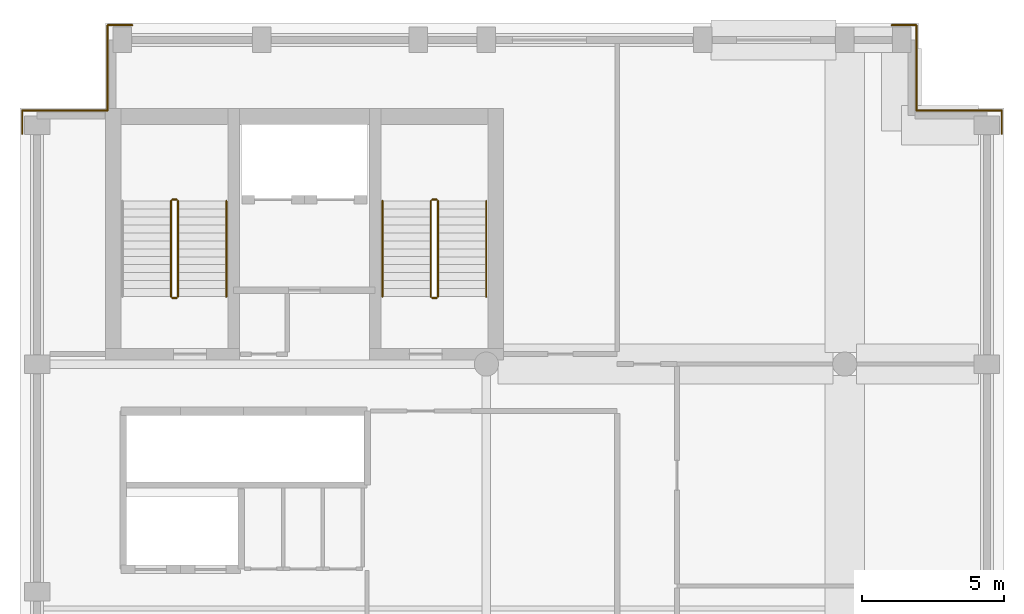
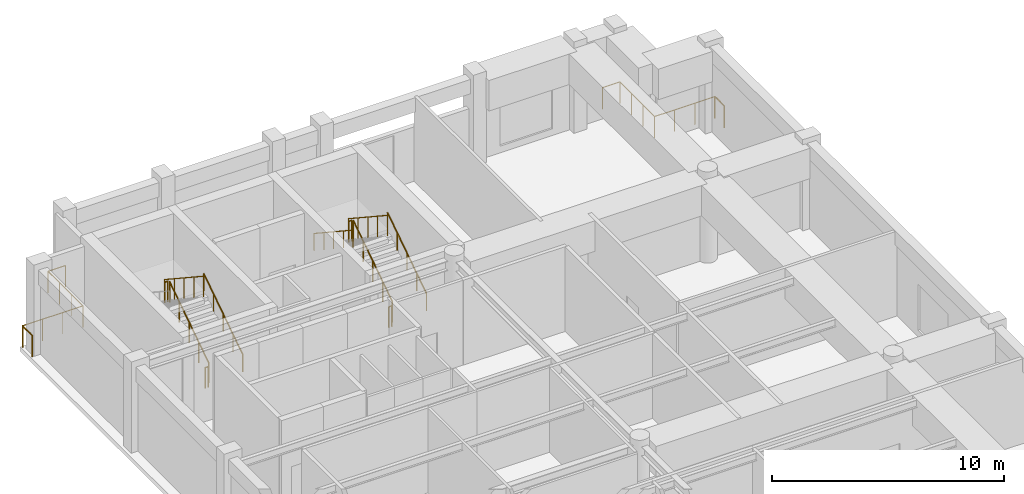
# One storey, part 6 of 6: 19 railings.
"""IFC4 building model written with IfcOpenShell, lengths in metres."""

from ifc_helpers import new_model, si_unit, direction, frame, origin, origin_2d, place, context, subcontext, project, spatial, circle, extrude, material, type_object, element, save


model = new_model("IFC4")

# Units and contexts
model_context = context("Model", 3, precision=1e-05, world=origin(), true_north=direction((0.0, 1.0)))
body_context = subcontext(model_context, "Body", "Model", "MODEL_VIEW")
ifc_project = project(units=[si_unit("LENGTHUNIT", "METRE"), si_unit("AREAUNIT", "SQUARE_METRE"), si_unit("VOLUMEUNIT", "CUBIC_METRE"), si_unit("PLANEANGLEUNIT", "RADIAN"), si_unit("MASSUNIT", "GRAM", prefix="KILO")], contexts=[model_context])

# Site, building, storey
site_placement = place(None, origin())
site = spatial("IfcSite", under=ifc_project, at=site_placement, CompositionType="ELEMENT")
building_placement = place(site_placement, origin())
building = spatial("IfcBuilding", under=site, at=building_placement, Name="Sulina Concourse Tower", CompositionType="ELEMENT")
storey_placement = place(building_placement, frame((0.0, 0.0, 313.0)))
storey = spatial("IfcBuildingStorey", under=building, at=storey_placement, Name="L76", CompositionType="ELEMENT", Elevation=313.0)

# Railings
ifc_material_1 = material(Name="Galvanised steel railing", Category="steel")
railing_type_1 = type_object("IfcRailingType", Name="Core Stair Steel Guardrail 1150mm", PredefinedType="GUARDRAIL", material=ifc_material_1)
railing_1_placement = place(storey_placement, frame((0.080078125, 42.10009765625, 0.0)))
element("IfcRailing", 1, at=railing_1_placement, inside=storey, type_object=railing_type_1, Name="L76 perimeter edge safety guardrail NW1", PredefinedType="GUARDRAIL", context=body_context, shape_type="SweptSolid", body=[
    extrude(circle(Radius=0.02392578125, at=origin_2d()), frame((0.0, 0.0, 1.1259765625), z_axis=(0.0, 1.0, 0.0), x_axis=(-1.0, 0.0, 0.0)), (0.0, 0.0, 1.0), 0.81982421875),
    extrude(circle(Radius=0.02099609375, at=origin_2d()), origin(), (0.0, 0.0, 1.0), 1.101806640625),
    extrude(circle(Radius=0.02099609375, at=origin_2d()), frame((0.0, 0.81982421875, 0.0)), (0.0, 0.0, 1.0), 1.101806640625),
])
railing_2_placement = place(storey_placement, frame((0.080078125, 42.919921875, 0.0)))
element("IfcRailing", 2, at=railing_2_placement, inside=storey, type_object=railing_type_1, Name="L76 perimeter edge safety guardrail NW2", PredefinedType="GUARDRAIL", context=body_context, shape_type="SweptSolid", body=[
    extrude(circle(Radius=0.02392578125, at=origin_2d()), frame((0.0, 0.0, 1.1259765625), z_axis=(1.0, 0.0, 0.0), x_axis=(0.0, 1.0, 0.0)), (0.0, 0.0, 1.0), 3.0),
    extrude(circle(Radius=0.02099609375, at=origin_2d()), origin(), (0.0, 0.0, 1.0), 1.101806640625),
    extrude(circle(Radius=0.02099609375, at=origin_2d()), frame((1.0, 0.0, 0.0)), (0.0, 0.0, 1.0), 1.101806640625),
    extrude(circle(Radius=0.02099609375, at=origin_2d()), frame((2.0, 0.0, 0.0)), (0.0, 0.0, 1.0), 1.101806640625),
    extrude(circle(Radius=0.02099609375, at=origin_2d()), frame((3.0, 0.0, 0.0)), (0.0, 0.0, 1.0), 1.101806640625),
])
railing_3_placement = place(storey_placement, frame((3.080078125, 42.919921875, 0.0)))
element("IfcRailing", 3, at=railing_3_placement, inside=storey, type_object=railing_type_1, Name="L76 perimeter edge safety guardrail NW3", PredefinedType="GUARDRAIL", context=body_context, shape_type="SweptSolid", body=[
    extrude(circle(Radius=0.02392578125, at=origin_2d()), frame((0.0, 0.0, 1.1259765625), z_axis=(0.0, 1.0, 0.0), x_axis=(-1.0, 0.0, 0.0)), (0.0, 0.0, 1.0), 3.0),
    extrude(circle(Radius=0.02099609375, at=origin_2d()), origin(), (0.0, 0.0, 1.0), 1.101806640625),
    extrude(circle(Radius=0.02099609375, at=origin_2d()), frame((0.0, 1.0, 0.0)), (0.0, 0.0, 1.0), 1.101806640625),
    extrude(circle(Radius=0.02099609375, at=origin_2d()), frame((0.0, 2.0, 0.0)), (0.0, 0.0, 1.0), 1.101806640625),
    extrude(circle(Radius=0.02099609375, at=origin_2d()), frame((0.0, 3.0, 0.0)), (0.0, 0.0, 1.0), 1.101806640625),
])
railing_4_placement = place(storey_placement, frame((3.080078125, 45.919921875, 0.0)))
element("IfcRailing", 4, at=railing_4_placement, inside=storey, type_object=railing_type_1, Name="L76 perimeter edge safety guardrail NW4", PredefinedType="GUARDRAIL", context=body_context, shape_type="SweptSolid", body=[
    extrude(circle(Radius=0.02392578125, at=origin_2d()), frame((0.0, 0.0, 1.1259765625), z_axis=(1.0, 0.0, 0.0), x_axis=(0.0, 1.0, 0.0)), (0.0, 0.0, 1.0), 0.869873046875),
    extrude(circle(Radius=0.02099609375, at=origin_2d()), origin(), (0.0, 0.0, 1.0), 1.101806640625),
    extrude(circle(Radius=0.02099609375, at=origin_2d()), frame((0.869873046875, 0.0, 0.0)), (0.0, 0.0, 1.0), 1.101806640625),
])
railing_5_placement = place(storey_placement, frame((30.64990234375, 45.919921875, 0.0)))
element("IfcRailing", 5, at=railing_5_placement, inside=storey, type_object=railing_type_1, Name="L76 perimeter edge safety guardrail NE1", PredefinedType="GUARDRAIL", context=body_context, shape_type="SweptSolid", body=[
    extrude(circle(Radius=0.02392578125, at=origin_2d()), frame((0.0, 0.0, 1.1259765625), z_axis=(1.0, 0.0, 0.0), x_axis=(0.0, 1.0, 0.0)), (0.0, 0.0, 1.0), 0.8701171875),
    extrude(circle(Radius=0.02099609375, at=origin_2d()), origin(), (0.0, 0.0, 1.0), 1.101806640625),
    extrude(circle(Radius=0.02099609375, at=origin_2d()), frame((0.8701171875, 0.0, 0.0)), (0.0, 0.0, 1.0), 1.101806640625),
])
railing_6_placement = place(storey_placement, frame((31.52001953125, 45.919921875, 0.0)))
element("IfcRailing", 6, at=railing_6_placement, inside=storey, type_object=railing_type_1, Name="L76 perimeter edge safety guardrail NE2", PredefinedType="GUARDRAIL", context=body_context, shape_type="SweptSolid", body=[
    extrude(circle(Radius=0.02392578125, at=origin_2d()), frame((0.0, 0.0, 1.1259765625), z_axis=(0.0, -1.0, 0.0), x_axis=(1.0, 0.0, 0.0)), (0.0, 0.0, 1.0), 3.0),
    extrude(circle(Radius=0.02099609375, at=origin_2d()), origin(), (0.0, 0.0, 1.0), 1.101806640625),
    extrude(circle(Radius=0.02099609375, at=origin_2d()), frame((0.0, -1.0, 0.0)), (0.0, 0.0, 1.0), 1.101806640625),
    extrude(circle(Radius=0.02099609375, at=origin_2d()), frame((0.0, -2.0, 0.0)), (0.0, 0.0, 1.0), 1.101806640625),
    extrude(circle(Radius=0.02099609375, at=origin_2d()), frame((0.0, -3.0, 0.0)), (0.0, 0.0, 1.0), 1.101806640625),
])
railing_7_placement = place(storey_placement, frame((31.52001953125, 42.919921875, 0.0)))
element("IfcRailing", 7, at=railing_7_placement, inside=storey, type_object=railing_type_1, Name="L76 perimeter edge safety guardrail NE3", PredefinedType="GUARDRAIL", context=body_context, shape_type="SweptSolid", body=[
    extrude(circle(Radius=0.02392578125, at=origin_2d()), frame((0.0, 0.0, 1.1259765625), z_axis=(1.0, 0.0, 0.0), x_axis=(0.0, 1.0, 0.0)), (0.0, 0.0, 1.0), 3.0),
    extrude(circle(Radius=0.02099609375, at=origin_2d()), origin(), (0.0, 0.0, 1.0), 1.101806640625),
    extrude(circle(Radius=0.02099609375, at=origin_2d()), frame((1.0, 0.0, 0.0)), (0.0, 0.0, 1.0), 1.101806640625),
    extrude(circle(Radius=0.02099609375, at=origin_2d()), frame((2.0, 0.0, 0.0)), (0.0, 0.0, 1.0), 1.101806640625),
    extrude(circle(Radius=0.02099609375, at=origin_2d()), frame((3.0, 0.0, 0.0)), (0.0, 0.0, 1.0), 1.101806640625),
])
railing_8_placement = place(storey_placement, frame((34.52001953125, 42.919921875, 0.0)))
element("IfcRailing", 8, at=railing_8_placement, inside=storey, type_object=railing_type_1, Name="L76 perimeter edge safety guardrail NE4", PredefinedType="GUARDRAIL", context=body_context, shape_type="SweptSolid", body=[
    extrude(circle(Radius=0.02392578125, at=origin_2d()), frame((0.0, 0.0, 1.1259765625), z_axis=(0.0, -1.0, 0.0), x_axis=(1.0, 0.0, 0.0)), (0.0, 0.0, 1.0), 0.81982421875),
    extrude(circle(Radius=0.02099609375, at=origin_2d()), origin(), (0.0, 0.0, 1.0), 1.101806640625),
    extrude(circle(Radius=0.02099609375, at=origin_2d()), frame((0.0, -0.81982421875, 0.0)), (0.0, 0.0, 1.0), 1.101806640625),
])
railing_9_placement = place(storey_placement, frame((5.554931640625, 36.375, 0.1845703125)))
element("IfcRailing", 9, at=railing_9_placement, inside=storey, type_object=railing_type_1, Name="L76 ST-1 stair guard 1", PredefinedType="GUARDRAIL", context=body_context, shape_type="SweptSolid", body=[
    extrude(circle(Radius=0.02392578125, at=origin_2d()), frame((0.0, 0.0, 1.076171875), z_axis=(0.0, 0.834876476806, 0.550437342915), x_axis=(-1.0, 0.0, 0.0)), (0.0, 0.0, 1.0), 4.024658203125),
    extrude(circle(Radius=0.02099609375, at=origin_2d()), origin(), (0.0, 0.0, 1.0), 1.052001953125),
    extrude(circle(Radius=0.02099609375, at=origin_2d()), frame((0.0, 0.840087890625, 0.5537109375)), (0.0, 0.0, 1.0), 1.052001953125),
    extrude(circle(Radius=0.02099609375, at=origin_2d()), frame((0.0, 1.68017578125, 1.107666015625)), (0.0, 0.0, 1.0), 1.052001953125),
    extrude(circle(Radius=0.02099609375, at=origin_2d()), frame((0.0, 2.52001953125, 1.66162109375)), (0.0, 0.0, 1.0), 1.052001953125),
    extrude(circle(Radius=0.02099609375, at=origin_2d()), frame((0.0, 3.360107421875, 2.21533203125)), (0.0, 0.0, 1.0), 1.052001953125),
])
railing_10_placement = place(storey_placement, frame((5.5048828125, 39.784912109375, 2.39990234375)))
element("IfcRailing", 10, at=railing_10_placement, inside=storey, type_object=railing_type_1, Name="L76 ST-1 stair guard 2", PredefinedType="GUARDRAIL", context=body_context, shape_type="SweptSolid", body=[
    extrude(circle(Radius=0.02392578125, at=origin_2d()), frame((0.0, 0.0, 1.076171875), z_axis=(-1.0, 0.0, 0.0), x_axis=(0.0, -1.0, 0.0)), (0.0, 0.0, 1.0), 0.14990234375),
    extrude(circle(Radius=0.02099609375, at=origin_2d()), origin(), (0.0, 0.0, 1.0), 1.052001953125),
    extrude(circle(Radius=0.02099609375, at=origin_2d()), frame((-0.14990234375, 0.0, 0.0)), (0.0, 0.0, 1.0), 1.052001953125),
])
railing_11_placement = place(storey_placement, frame((5.304931640625, 39.735107421875, 2.584716796875)))
element("IfcRailing", 11, at=railing_11_placement, inside=storey, type_object=railing_type_1, Name="L76 ST-1 stair guard 3", PredefinedType="GUARDRAIL", context=body_context, shape_type="SweptSolid", body=[
    extrude(circle(Radius=0.02392578125, at=origin_2d()), frame((0.0, 0.0, 1.076171875), z_axis=(0.0, -0.834876476806, 0.550437342915), x_axis=(1.0, 0.0, 0.0)), (0.0, 0.0, 1.0), 4.024658203125),
    extrude(circle(Radius=0.02099609375, at=origin_2d()), origin(), (0.0, 0.0, 1.0), 1.052001953125),
    extrude(circle(Radius=0.02099609375, at=origin_2d()), frame((0.0, -0.840087890625, 0.5537109375)), (0.0, 0.0, 1.0), 1.052001953125),
    extrude(circle(Radius=0.02099609375, at=origin_2d()), frame((0.0, -1.68017578125, 1.107666015625)), (0.0, 0.0, 1.0), 1.052001953125),
    extrude(circle(Radius=0.02099609375, at=origin_2d()), frame((0.0, -2.52001953125, 1.66162109375)), (0.0, 0.0, 1.0), 1.052001953125),
    extrude(circle(Radius=0.02099609375, at=origin_2d()), frame((0.0, -3.360107421875, 2.21533203125)), (0.0, 0.0, 1.0), 1.052001953125),
])
railing_12_placement = place(storey_placement, frame((5.5048828125, 36.324951171875, 0.0)))
element("IfcRailing", 12, at=railing_12_placement, inside=storey, type_object=railing_type_1, Name="L76 ST-1 stair guard 4", PredefinedType="GUARDRAIL", context=body_context, shape_type="SweptSolid", body=[
    extrude(circle(Radius=0.02392578125, at=origin_2d()), frame((0.0, 0.0, 1.076171875), z_axis=(-1.0, 0.0, 0.0), x_axis=(0.0, -1.0, 0.0)), (0.0, 0.0, 1.0), 0.14990234375),
    extrude(circle(Radius=0.02099609375, at=origin_2d()), origin(), (0.0, 0.0, 1.0), 1.052001953125),
    extrude(circle(Radius=0.02099609375, at=origin_2d()), frame((-0.14990234375, 0.0, 0.0)), (0.0, 0.0, 1.0), 1.052001953125),
])
railing_13_placement = place(storey_placement, frame((14.695068359375, 36.375, 0.1845703125)))
element("IfcRailing", 13, at=railing_13_placement, inside=storey, type_object=railing_type_1, Name="L76 ST-2 stair guard 1", PredefinedType="GUARDRAIL", context=body_context, shape_type="SweptSolid", body=[
    extrude(circle(Radius=0.02392578125, at=origin_2d()), frame((0.0, 0.0, 1.076171875), z_axis=(0.0, 0.834876476806, 0.550437342915), x_axis=(-1.0, 0.0, 0.0)), (0.0, 0.0, 1.0), 4.024658203125),
    extrude(circle(Radius=0.02099609375, at=origin_2d()), origin(), (0.0, 0.0, 1.0), 1.052001953125),
    extrude(circle(Radius=0.02099609375, at=origin_2d()), frame((0.0, 0.840087890625, 0.5537109375)), (0.0, 0.0, 1.0), 1.052001953125),
    extrude(circle(Radius=0.02099609375, at=origin_2d()), frame((0.0, 1.68017578125, 1.107666015625)), (0.0, 0.0, 1.0), 1.052001953125),
    extrude(circle(Radius=0.02099609375, at=origin_2d()), frame((0.0, 2.52001953125, 1.66162109375)), (0.0, 0.0, 1.0), 1.052001953125),
    extrude(circle(Radius=0.02099609375, at=origin_2d()), frame((0.0, 3.360107421875, 2.21533203125)), (0.0, 0.0, 1.0), 1.052001953125),
])
railing_14_placement = place(storey_placement, frame((14.64501953125, 39.784912109375, 2.39990234375)))
element("IfcRailing", 14, at=railing_14_placement, inside=storey, type_object=railing_type_1, Name="L76 ST-2 stair guard 2", PredefinedType="GUARDRAIL", context=body_context, shape_type="SweptSolid", body=[
    extrude(circle(Radius=0.02392578125, at=origin_2d()), frame((0.0, 0.0, 1.076171875), z_axis=(-1.0, 0.0, 0.0), x_axis=(0.0, -1.0, 0.0)), (0.0, 0.0, 1.0), 0.14990234375),
    extrude(circle(Radius=0.02099609375, at=origin_2d()), origin(), (0.0, 0.0, 1.0), 1.052001953125),
    extrude(circle(Radius=0.02099609375, at=origin_2d()), frame((-0.14990234375, 0.0, 0.0)), (0.0, 0.0, 1.0), 1.052001953125),
])
railing_15_placement = place(storey_placement, frame((14.445068359375, 39.735107421875, 2.584716796875)))
element("IfcRailing", 15, at=railing_15_placement, inside=storey, type_object=railing_type_1, Name="L76 ST-2 stair guard 3", PredefinedType="GUARDRAIL", context=body_context, shape_type="SweptSolid", body=[
    extrude(circle(Radius=0.02392578125, at=origin_2d()), frame((0.0, 0.0, 1.076171875), z_axis=(0.0, -0.834876476806, 0.550437342915), x_axis=(1.0, 0.0, 0.0)), (0.0, 0.0, 1.0), 4.024658203125),
    extrude(circle(Radius=0.02099609375, at=origin_2d()), origin(), (0.0, 0.0, 1.0), 1.052001953125),
    extrude(circle(Radius=0.02099609375, at=origin_2d()), frame((0.0, -0.840087890625, 0.5537109375)), (0.0, 0.0, 1.0), 1.052001953125),
    extrude(circle(Radius=0.02099609375, at=origin_2d()), frame((0.0, -1.68017578125, 1.107666015625)), (0.0, 0.0, 1.0), 1.052001953125),
    extrude(circle(Radius=0.02099609375, at=origin_2d()), frame((0.0, -2.52001953125, 1.66162109375)), (0.0, 0.0, 1.0), 1.052001953125),
    extrude(circle(Radius=0.02099609375, at=origin_2d()), frame((0.0, -3.360107421875, 2.21533203125)), (0.0, 0.0, 1.0), 1.052001953125),
])
railing_16_placement = place(storey_placement, frame((14.64501953125, 36.324951171875, 0.0)))
element("IfcRailing", 16, at=railing_16_placement, inside=storey, type_object=railing_type_1, Name="L76 ST-2 stair guard 4", PredefinedType="GUARDRAIL", context=body_context, shape_type="SweptSolid", body=[
    extrude(circle(Radius=0.02392578125, at=origin_2d()), frame((0.0, 0.0, 1.076171875), z_axis=(-1.0, 0.0, 0.0), x_axis=(0.0, -1.0, 0.0)), (0.0, 0.0, 1.0), 0.14990234375),
    extrude(circle(Radius=0.02099609375, at=origin_2d()), origin(), (0.0, 0.0, 1.0), 1.052001953125),
    extrude(circle(Radius=0.02099609375, at=origin_2d()), frame((-0.14990234375, 0.0, 0.0)), (0.0, 0.0, 1.0), 1.052001953125),
])
ifc_material_2 = material(Name="Galvanised steel railing", Category="steel")
railing_type_2 = type_object("IfcRailingType", Name="Stair Wall Steel Handrail 920mm", PredefinedType="HANDRAIL", material=ifc_material_2)
for number, where, name in (
    (17, (7.2548828125, 36.375, 0.1845703125), "L76 ST-1 stair handrail 1"),
    (18, (16.39501953125, 36.375, 0.1845703125), "L76 ST-2 stair handrail 1"),
):
    element("IfcRailing", number, at=place(storey_placement, frame(where)), inside=storey, type_object=railing_type_2, Name=name, PredefinedType="HANDRAIL", context=body_context, shape_type="SweptSolid", body=[
        extrude(circle(Radius=0.02392578125, at=origin_2d()), frame((0.0, 0.0, 0.89599609375), z_axis=(0.0, 0.834876476806, 0.550437342915), x_axis=(-1.0, 0.0, 0.0)), (0.0, 0.0, 1.0), 4.024658203125),
        extrude(circle(Radius=0.02099609375, at=origin_2d()), origin(), (0.0, 0.0, 1.0), 0.871826171875),
        extrude(circle(Radius=0.02099609375, at=origin_2d()), frame((0.0, 0.840087890625, 0.5537109375)), (0.0, 0.0, 1.0), 0.871826171875),
        extrude(circle(Radius=0.02099609375, at=origin_2d()), frame((0.0, 1.68017578125, 1.107666015625)), (0.0, 0.0, 1.0), 0.871826171875),
        extrude(circle(Radius=0.02099609375, at=origin_2d()), frame((0.0, 2.52001953125, 1.66162109375)), (0.0, 0.0, 1.0), 0.871826171875),
        extrude(circle(Radius=0.02099609375, at=origin_2d()), frame((0.0, 3.360107421875, 2.21533203125)), (0.0, 0.0, 1.0), 0.871826171875),
    ])
railing_17_placement = place(storey_placement, frame((12.7451171875, 39.735107421875, 2.584716796875)))
element("IfcRailing", 19, at=railing_17_placement, inside=storey, type_object=railing_type_2, Name="L76 ST-2 stair handrail 2", PredefinedType="HANDRAIL", context=body_context, shape_type="SweptSolid", body=[
    extrude(circle(Radius=0.02392578125, at=origin_2d()), frame((0.0, 0.0, 0.89599609375), z_axis=(0.0, -0.834876476806, 0.550437342915), x_axis=(1.0, 0.0, 0.0)), (0.0, 0.0, 1.0), 4.024658203125),
    extrude(circle(Radius=0.02099609375, at=origin_2d()), origin(), (0.0, 0.0, 1.0), 0.871826171875),
    extrude(circle(Radius=0.02099609375, at=origin_2d()), frame((0.0, -0.840087890625, 0.5537109375)), (0.0, 0.0, 1.0), 0.871826171875),
    extrude(circle(Radius=0.02099609375, at=origin_2d()), frame((0.0, -1.68017578125, 1.107666015625)), (0.0, 0.0, 1.0), 0.871826171875),
    extrude(circle(Radius=0.02099609375, at=origin_2d()), frame((0.0, -2.52001953125, 1.66162109375)), (0.0, 0.0, 1.0), 0.871826171875),
    extrude(circle(Radius=0.02099609375, at=origin_2d()), frame((0.0, -3.360107421875, 2.21533203125)), (0.0, 0.0, 1.0), 0.871826171875),
])

save(model, "model.ifc")
